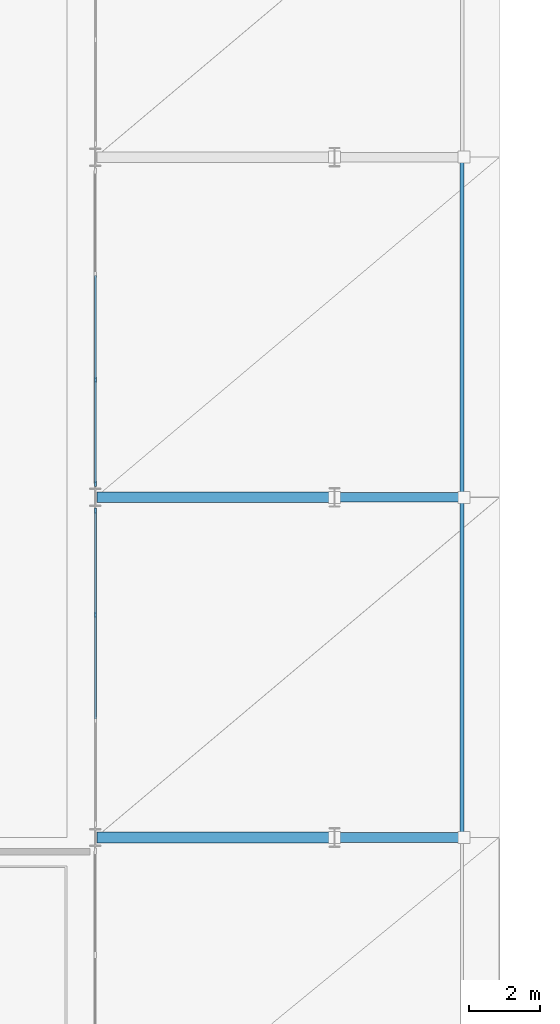
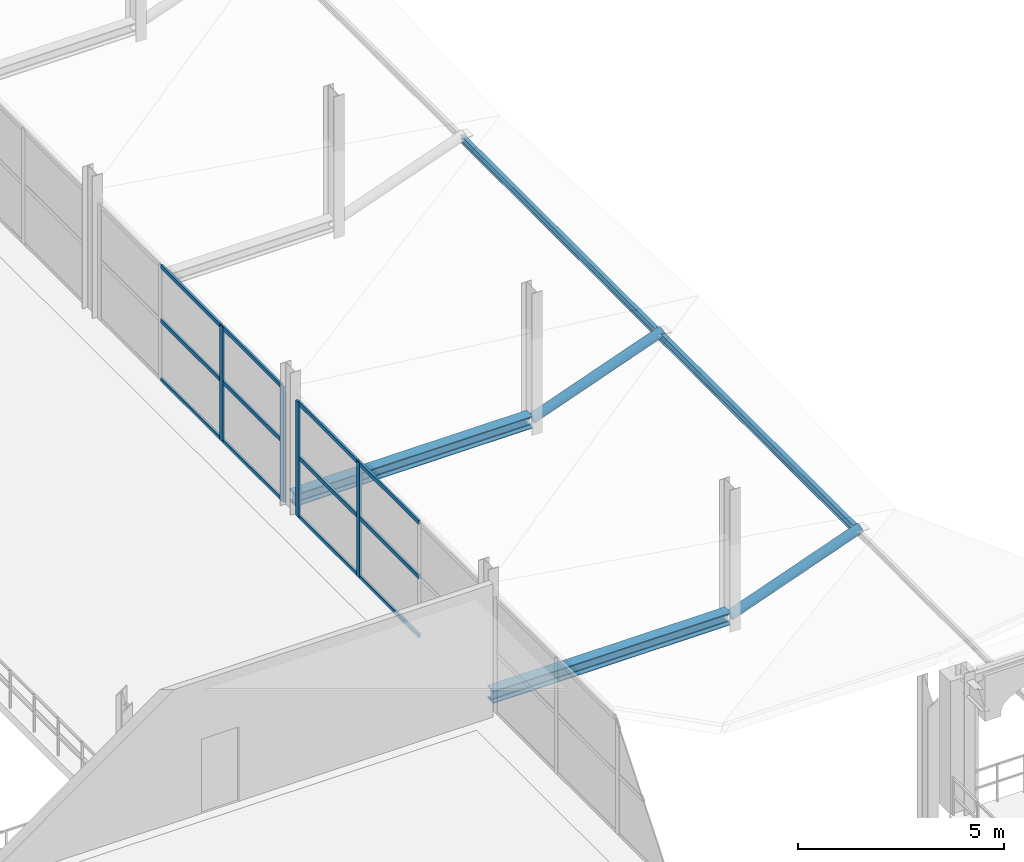
# One storey, part 21 of 81: 20 members, 2 beams, 2 elements without a shape of their own.
"""IFC4 building model written with IfcOpenShell, lengths in metres."""

from ifc_helpers import new_model, si_unit, direction, frame, origin, origin_2d, place, context, subcontext, project, spatial, rectangle, hollow_circle, i_section, extrude, material, layer, layer_set, material_profile, profile_set, type_object, element, aggregate, save


model = new_model("IFC4")

# Units and contexts
model_context = context("Model", 3, precision=1e-05, world=origin(), true_north=direction((0.0, 1.0)))
body_context = subcontext(model_context, "Body", "Model", "MODEL_VIEW")
ifc_project = project(units=[si_unit("LENGTHUNIT", "METRE"), si_unit("AREAUNIT", "SQUARE_METRE"), si_unit("VOLUMEUNIT", "CUBIC_METRE"), si_unit("PLANEANGLEUNIT", "RADIAN"), si_unit("MASSUNIT", "GRAM", prefix="KILO")], contexts=[model_context])

# Site, building, storey
site_placement = place(None, origin())
site = spatial("IfcSite", under=ifc_project, at=site_placement, CompositionType="ELEMENT")
building_placement = place(site_placement, origin())
building = spatial("IfcBuilding", under=site, at=building_placement, Name="Myrtia Square Station", CompositionType="ELEMENT")
storey_placement = place(building_placement, frame((0.0, 0.0, 10.800048828125)))
storey = spatial("IfcBuildingStorey", under=building, at=storey_placement, Name="L02", CompositionType="ELEMENT", Elevation=10.800048828125)

# Beams
ifc_material_1 = material(Name="Steel S355", Category="steel")
ifc_material_profile_1 = material_profile(ifc_material_1, i_section(OverallWidth=0.300048828125, OverallDepth=0.360107421875, WebThickness=0.012451171875, FlangeThickness=0.0224609375, FilletRadius=0.027099609375, at=origin_2d()), Name="HEB 360")
ifc_profile_set_1 = profile_set([ifc_material_profile_1], Name="Steel S355")
beam_type = type_object("IfcBeamType", Name="BM-HEB360", PredefinedType="BEAM", material=ifc_profile_set_1)
for number, where, z_axis, x_axis, name in (
    (1, (109.85009765625, 48.0, 0.300048828125), (1.0, 0.0, 0.0), (0.0, 1.0, 0.0), "Lower wrap colonnade tie beam 009"),
    (2, (109.85009765625, 57.60009765625, 0.300048828125), (1.0, 0.0, 0.0), (0.0, 1.0, 0.0), "Lower wrap colonnade tie beam 013"),
):
    element("IfcBeam", number, at=place(storey_placement, frame(where, z_axis=z_axis, x_axis=x_axis)), inside=storey, type_object=beam_type, Name=name, PredefinedType="BEAM", context=body_context, shape_type="SweptSolid", body=[
        extrude(i_section(OverallWidth=0.300048828125, OverallDepth=0.360107421875, WebThickness=0.012451171875, FlangeThickness=0.0224609375, FilletRadius=0.027099609375, at=origin_2d()), origin(), (0.0, 0.0, 1.0), 6.64990234375),
    ])

# Curtain wall, members
ifc_material_2 = material(Name="Dark bronze anodised aluminium", Category="aluminium")
ifc_layer = layer(ifc_material_2, 0.159912109375, Name="Dark bronze anodised aluminium")
ifc_layer_set = layer_set([ifc_layer], Name="Dark bronze anodised aluminium")
curtain_wall_type = type_object("IfcCurtainWallType", Name="CW-TYPE-06-890x341", PredefinedType="USERDEFINED", material=ifc_layer_set)
curtain_wall_1_placement = place(storey_placement, origin())
curtain_wall_1 = element("IfcCurtainWall", 3, at=curtain_wall_1_placement, inside=storey, type_object=curtain_wall_type, Name="Concourse curtain wall CW-L02-024", ObjectType="CONCOURSE CURTAIN WALL", PredefinedType="USERDEFINED")
ifc_material_profile_2 = material_profile(ifc_material_2, rectangle(XDim=0.06005859375, YDim=0.159912109375, at=origin_2d()), Name="ALU-M 60x160")
ifc_profile_set_2 = profile_set([ifc_material_profile_2], Name="Dark bronze anodised aluminium")
member_type_1 = type_object("IfcMemberType", Name="CWM-60x160", PredefinedType="MULLION", material=ifc_profile_set_2)
member_1_placement = place(storey_placement, frame((109.800048828125, 54.283447265625, 0.0), z_axis=(0.0, 0.0, 1.0), x_axis=(-1.0, 0.0, 0.0)))
member_1 = element("IfcMember", 4, at=member_1_placement, type_object=member_type_1, Name="CW-024 mullion 3", PredefinedType="MULLION", context=body_context, shape_type="SweptSolid", body=[
    extrude(rectangle(XDim=0.06005859375, YDim=0.159912109375, at=origin_2d()), origin(), (0.0, 0.0, 1.0), 3.409912109375),
])
member_2_placement = place(storey_placement, frame((109.800048828125, 57.219970703125, 0.0), z_axis=(0.0, 0.0, 1.0), x_axis=(-1.0, 0.0, 0.0)))
member_2 = element("IfcMember", 5, at=member_2_placement, type_object=member_type_1, Name="CW-024 mullion 4", PredefinedType="MULLION", context=body_context, shape_type="SweptSolid", body=[
    extrude(rectangle(XDim=0.06005859375, YDim=0.159912109375, at=origin_2d()), origin(), (0.0, 0.0, 1.0), 3.409912109375),
])

curtain_wall_2_placement = place(storey_placement, origin())
curtain_wall_2 = element("IfcCurtainWall", 6, at=curtain_wall_2_placement, inside=storey, type_object=curtain_wall_type, Name="Concourse curtain wall CW-L02-026", ObjectType="CONCOURSE CURTAIN WALL", PredefinedType="USERDEFINED")
member_3_placement = place(storey_placement, frame((109.800048828125, 57.97998046875, 0.0), z_axis=(0.0, 0.0, 1.0), x_axis=(-1.0, 0.0, 0.0)))
member_3 = element("IfcMember", 7, at=member_3_placement, type_object=member_type_1, Name="CW-026 mullion 1", PredefinedType="MULLION", context=body_context, shape_type="SweptSolid", body=[
    extrude(rectangle(XDim=0.06005859375, YDim=0.159912109375, at=origin_2d()), origin(), (0.0, 0.0, 1.0), 3.409912109375),
])
member_4_placement = place(storey_placement, frame((109.800048828125, 60.916748046875, 0.0), z_axis=(0.0, 0.0, 1.0), x_axis=(-1.0, 0.0, 0.0)))
member_4 = element("IfcMember", 8, at=member_4_placement, type_object=member_type_1, Name="CW-026 mullion 2", PredefinedType="MULLION", context=body_context, shape_type="SweptSolid", body=[
    extrude(rectangle(XDim=0.06005859375, YDim=0.159912109375, at=origin_2d()), origin(), (0.0, 0.0, 1.0), 3.409912109375),
])

# Member
ifc_material_profile_3 = material_profile(ifc_material_2, rectangle(XDim=0.06005859375, YDim=0.1201171875, at=origin_2d()), Name="ALU-T 60x120")
ifc_profile_set_3 = profile_set([ifc_material_profile_3], Name="Dark bronze anodised aluminium")
member_type_2 = type_object("IfcMemberType", Name="CWT-60x120", PredefinedType="USERDEFINED", material=ifc_profile_set_3)
member_5_placement = place(storey_placement, frame((109.800048828125, 51.3466796875, 0.030029296875), z_axis=(0.0, 1.0, 0.0), x_axis=(-1.0, 0.0, 0.0)))
member_5 = element("IfcMember", 9, at=member_5_placement, type_object=member_type_2, Name="CW-024 transom 2.1", ObjectType="TRANSOM", PredefinedType="USERDEFINED", context=body_context, shape_type="SweptSolid", body=[
    extrude(rectangle(XDim=0.06005859375, YDim=0.1201171875, at=origin_2d()), origin(), (0.0, 0.0, 1.0), 2.90673828125),
])

member_6_placement = place(storey_placement, frame((109.800048828125, 51.3466796875, 1.77294921875), z_axis=(0.0, 1.0, 0.0), x_axis=(-1.0, 0.0, 0.0)))
member_6 = element("IfcMember", 10, at=member_6_placement, type_object=member_type_2, Name="CW-024 transom 2.2", ObjectType="TRANSOM", PredefinedType="USERDEFINED", context=body_context, shape_type="SweptSolid", body=[
    extrude(rectangle(XDim=0.06005859375, YDim=0.1201171875, at=origin_2d()), origin(), (0.0, 0.0, 1.0), 2.90673828125),
])

member_7_placement = place(storey_placement, frame((109.800048828125, 51.3466796875, 3.3798828125), z_axis=(0.0, 1.0, 0.0), x_axis=(-1.0, 0.0, 0.0)))
member_7 = element("IfcMember", 11, at=member_7_placement, type_object=member_type_2, Name="CW-024 transom 2.3", ObjectType="TRANSOM", PredefinedType="USERDEFINED", context=body_context, shape_type="SweptSolid", body=[
    extrude(rectangle(XDim=0.06005859375, YDim=0.1201171875, at=origin_2d()), origin(), (0.0, 0.0, 1.0), 2.90673828125),
])

member_8_placement = place(storey_placement, frame((109.800048828125, 54.313232421875, 0.030029296875), z_axis=(0.0, 1.0, 0.0), x_axis=(-1.0, 0.0, 0.0)))
member_8 = element("IfcMember", 12, at=member_8_placement, type_object=member_type_2, Name="CW-024 transom 3.1", ObjectType="TRANSOM", PredefinedType="USERDEFINED", context=body_context, shape_type="SweptSolid", body=[
    extrude(rectangle(XDim=0.06005859375, YDim=0.1201171875, at=origin_2d()), origin(), (0.0, 0.0, 1.0), 2.876708984375),
])

member_9_placement = place(storey_placement, frame((109.800048828125, 54.313232421875, 1.77294921875), z_axis=(0.0, 1.0, 0.0), x_axis=(-1.0, 0.0, 0.0)))
member_9 = element("IfcMember", 13, at=member_9_placement, type_object=member_type_2, Name="CW-024 transom 3.2", ObjectType="TRANSOM", PredefinedType="USERDEFINED", context=body_context, shape_type="SweptSolid", body=[
    extrude(rectangle(XDim=0.06005859375, YDim=0.1201171875, at=origin_2d()), origin(), (0.0, 0.0, 1.0), 2.876708984375),
])

member_10_placement = place(storey_placement, frame((109.800048828125, 54.313232421875, 3.3798828125), z_axis=(0.0, 1.0, 0.0), x_axis=(-1.0, 0.0, 0.0)))
member_10 = element("IfcMember", 14, at=member_10_placement, type_object=member_type_2, Name="CW-024 transom 3.3", ObjectType="TRANSOM", PredefinedType="USERDEFINED", context=body_context, shape_type="SweptSolid", body=[
    extrude(rectangle(XDim=0.06005859375, YDim=0.1201171875, at=origin_2d()), origin(), (0.0, 0.0, 1.0), 2.876708984375),
])

aggregate(curtain_wall_1, [member_1, member_2, member_5, member_6, member_7, member_8, member_9, member_10])

member_11_placement = place(storey_placement, frame((109.800048828125, 58.010009765625, 0.030029296875), z_axis=(0.0, 1.0, 0.0), x_axis=(-1.0, 0.0, 0.0)))
member_11 = element("IfcMember", 15, at=member_11_placement, type_object=member_type_2, Name="CW-026 transom 1.1", ObjectType="TRANSOM", PredefinedType="USERDEFINED", context=body_context, shape_type="SweptSolid", body=[
    extrude(rectangle(XDim=0.06005859375, YDim=0.1201171875, at=origin_2d()), origin(), (0.0, 0.0, 1.0), 2.876708984375),
])

member_12_placement = place(storey_placement, frame((109.800048828125, 58.010009765625, 1.77294921875), z_axis=(0.0, 1.0, 0.0), x_axis=(-1.0, 0.0, 0.0)))
member_12 = element("IfcMember", 16, at=member_12_placement, type_object=member_type_2, Name="CW-026 transom 1.2", ObjectType="TRANSOM", PredefinedType="USERDEFINED", context=body_context, shape_type="SweptSolid", body=[
    extrude(rectangle(XDim=0.06005859375, YDim=0.1201171875, at=origin_2d()), origin(), (0.0, 0.0, 1.0), 2.876708984375),
])

member_13_placement = place(storey_placement, frame((109.800048828125, 58.010009765625, 3.3798828125), z_axis=(0.0, 1.0, 0.0), x_axis=(-1.0, 0.0, 0.0)))
member_13 = element("IfcMember", 17, at=member_13_placement, type_object=member_type_2, Name="CW-026 transom 1.3", ObjectType="TRANSOM", PredefinedType="USERDEFINED", context=body_context, shape_type="SweptSolid", body=[
    extrude(rectangle(XDim=0.06005859375, YDim=0.1201171875, at=origin_2d()), origin(), (0.0, 0.0, 1.0), 2.876708984375),
])

member_14_placement = place(storey_placement, frame((109.800048828125, 60.94677734375, 0.030029296875), z_axis=(0.0, 1.0, 0.0), x_axis=(-1.0, 0.0, 0.0)))
member_14 = element("IfcMember", 18, at=member_14_placement, type_object=member_type_2, Name="CW-026 transom 2.1", ObjectType="TRANSOM", PredefinedType="USERDEFINED", context=body_context, shape_type="SweptSolid", body=[
    extrude(rectangle(XDim=0.06005859375, YDim=0.1201171875, at=origin_2d()), origin(), (0.0, 0.0, 1.0), 2.906494140625),
])

member_15_placement = place(storey_placement, frame((109.800048828125, 60.94677734375, 1.77294921875), z_axis=(0.0, 1.0, 0.0), x_axis=(-1.0, 0.0, 0.0)))
member_15 = element("IfcMember", 19, at=member_15_placement, type_object=member_type_2, Name="CW-026 transom 2.2", ObjectType="TRANSOM", PredefinedType="USERDEFINED", context=body_context, shape_type="SweptSolid", body=[
    extrude(rectangle(XDim=0.06005859375, YDim=0.1201171875, at=origin_2d()), origin(), (0.0, 0.0, 1.0), 2.906494140625),
])

member_16_placement = place(storey_placement, frame((109.800048828125, 60.94677734375, 3.3798828125), z_axis=(0.0, 1.0, 0.0), x_axis=(-1.0, 0.0, 0.0)))
member_16 = element("IfcMember", 20, at=member_16_placement, type_object=member_type_2, Name="CW-026 transom 2.3", ObjectType="TRANSOM", PredefinedType="USERDEFINED", context=body_context, shape_type="SweptSolid", body=[
    extrude(rectangle(XDim=0.06005859375, YDim=0.1201171875, at=origin_2d()), origin(), (0.0, 0.0, 1.0), 2.906494140625),
])

aggregate(curtain_wall_2, [member_3, member_4, member_11, member_12, member_13, member_14, member_15, member_16])

# Members
ifc_material_profile_4 = material_profile(ifc_material_1, i_section(OverallWidth=0.110107421875, OverallDepth=0.219970703125, WebThickness=0.005859375, FlangeThickness=0.00927734375, FilletRadius=0.011962890625, at=origin_2d()), Name="IPE 220")
ifc_profile_set_4 = profile_set([ifc_material_profile_4], Name="Steel S355")
member_type_3 = type_object("IfcMemberType", Name="PUR-IPE220", PredefinedType="PURLIN", material=ifc_profile_set_4)
member_17_placement = place(storey_placement, frame((120.14990234375, 57.60009765625, 1.510009765625), z_axis=(0.0, 1.0, 0.0), x_axis=(-1.0, 0.0, 0.0)))
element("IfcMember", 21, at=member_17_placement, inside=storey, type_object=member_type_3, Name="Overhang eave purlin PUR-L02-0035", PredefinedType="PURLIN", context=body_context, shape_type="SweptSolid", body=[
    extrude(i_section(OverallWidth=0.110107421875, OverallDepth=0.219970703125, WebThickness=0.005859375, FlangeThickness=0.00927734375, FilletRadius=0.011962890625, at=origin_2d()), origin(), (0.0, 0.0, 1.0), 9.599853515625),
])
ifc_material_profile_5 = material_profile(ifc_material_1, i_section(OverallWidth=0.1201171875, OverallDepth=0.239990234375, WebThickness=0.006103515625, FlangeThickness=0.009765625, FilletRadius=0.014892578125, at=origin_2d()), Name="IPE 240")
ifc_profile_set_5 = profile_set([ifc_material_profile_5], Name="Steel S355")
member_type_4 = type_object("IfcMemberType", Name="PUR-IPE240", PredefinedType="PURLIN", material=ifc_profile_set_5)
member_18_placement = place(storey_placement, frame((120.14990234375, 48.0, 1.510009765625), z_axis=(0.0, 1.0, 0.0), x_axis=(-1.0, 0.0, 0.0)))
element("IfcMember", 22, at=member_18_placement, inside=storey, type_object=member_type_4, Name="Overhang eave purlin PUR-L02-0026", PredefinedType="PURLIN", context=body_context, shape_type="SweptSolid", body=[
    extrude(i_section(OverallWidth=0.1201171875, OverallDepth=0.239990234375, WebThickness=0.006103515625, FlangeThickness=0.009765625, FilletRadius=0.014892578125, at=origin_2d()), origin(), (0.0, 0.0, 1.0), 9.60009765625),
])
ifc_material_profile_6 = material_profile(ifc_material_1, hollow_circle(Radius=0.136474609375, WallThickness=0.01611328125, at=origin_2d()), Name="CHS 273x16")
ifc_profile_set_6 = profile_set([ifc_material_profile_6], Name="Steel S355")
member_type_5 = type_object("IfcMemberType", Name="STR-CHS273", PredefinedType="STRUT", material=ifc_profile_set_6)
for number, where, z_axis, x_axis, name in (
    (23, (116.550048828125, 48.0, 0.300048828125), (0.940807162788, 0.0, 0.338942299584), (0.0, 1.0, 0.0), "Lower wrap square raking strut STR-LO-010"),
    (24, (116.550048828125, 57.60009765625, 0.300048828125), (0.940807162788, 0.0, 0.338942299584), (0.0, 1.0, 0.0), "Lower wrap square raking strut STR-LO-014"),
):
    element("IfcMember", number, at=place(storey_placement, frame(where, z_axis=z_axis, x_axis=x_axis)), inside=storey, type_object=member_type_5, Name=name, PredefinedType="STRUT", context=body_context, shape_type="SweptSolid", body=[
        extrude(hollow_circle(Radius=0.136474609375, WallThickness=0.01611328125, at=origin_2d()), origin(), (0.0, 0.0, 1.0), 3.879638671875),
    ])

save(model, "model.ifc")
